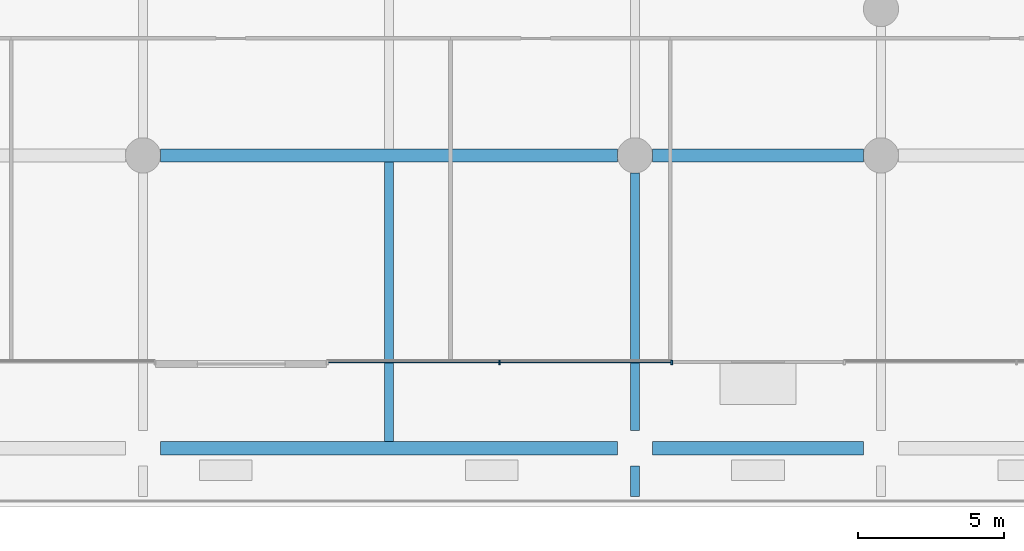
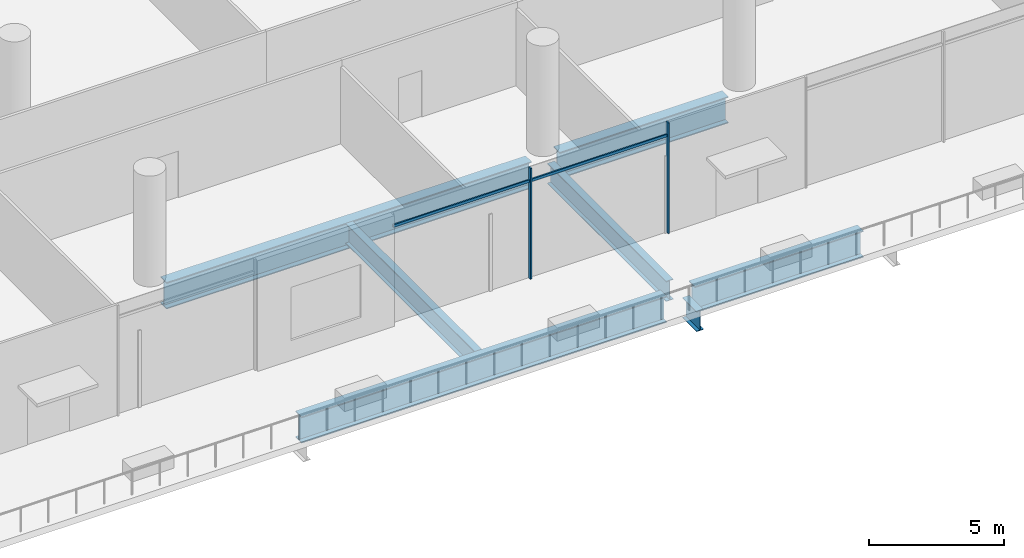
# One storey, part 7 of 51: 7 beams, 4 members, 1 element without a shape of its own.
"""IFC4 building model written with IfcOpenShell, lengths in metres."""

from ifc_helpers import new_model, si_unit, direction, frame, origin, origin_2d, place, context, subcontext, project, spatial, rectangle, i_section, extrude, material, material_profile, profile_set, type_object, element, aggregate, save


model = new_model("IFC4")

# Units and contexts
model_context = context("Model", 3, precision=1e-05, world=origin(), true_north=direction((0.0, 1.0)))
body_context = subcontext(model_context, "Body", "Model", "MODEL_VIEW")
ifc_project = project(units=[si_unit("LENGTHUNIT", "METRE"), si_unit("AREAUNIT", "SQUARE_METRE"), si_unit("VOLUMEUNIT", "CUBIC_METRE"), si_unit("PLANEANGLEUNIT", "RADIAN"), si_unit("MASSUNIT", "GRAM", prefix="KILO")], contexts=[model_context])

# Site, building, storey
site_placement = place(None, origin())
site = spatial("IfcSite", under=ifc_project, at=site_placement, CompositionType="ELEMENT")
building_placement = place(site_placement, origin())
building = spatial("IfcBuilding", under=site, at=building_placement, Name="Rimbun Link Towers", CompositionType="ELEMENT")
storey_placement = place(building_placement, frame((0.0, 0.0, 7.0)))
storey = spatial("IfcBuildingStorey", under=building, at=storey_placement, Name="L01", CompositionType="ELEMENT", Elevation=7.0)

# Curtain wall, members
ifc_material_1 = material(Name="Aluminium 6063-T6 and low-iron glass", Category="aluminium")
curtain_wall_type = type_object("IfcCurtainWallType", Name="CW3 podium shopfront", PredefinedType="NOTDEFINED", material=ifc_material_1)
curtain_wall_placement = place(storey_placement, origin())
curtain_wall = element("IfcCurtainWall", 1, at=curtain_wall_placement, inside=storey, type_object=curtain_wall_type, Name="CW3 L01 PD", PredefinedType="NOTDEFINED")
ifc_material_2 = material(Name="Aluminium 6063-T6", Category="aluminium")
ifc_material_profile_1 = material_profile(ifc_material_2, rectangle(XDim=0.14990234375, YDim=0.06005859375, at=origin_2d()), Name="MULLION 60X150")
ifc_profile_set_1 = profile_set([ifc_material_profile_1], Name="Aluminium 6063-T6")
member_type_1 = type_object("IfcMemberType", Name="CW3 mullion 60X150", PredefinedType="MULLION", material=ifc_profile_set_1)
member_1_placement = place(storey_placement, frame((-8.823486328125, -43.074951171875, 0.0), z_axis=(0.0, 0.0, 1.0), x_axis=(0.0, -1.0, 0.0)))
member_1 = element("IfcMember", 2, at=member_1_placement, type_object=member_type_1, Name="CW3 mullion", PredefinedType="MULLION", context=body_context, shape_type="SweptSolid", body=[
    extrude(rectangle(XDim=0.14990234375, YDim=0.06005859375, at=origin_2d()), origin(), (0.0, 0.0, 1.0), 5.0),
])
member_2_placement = place(storey_placement, frame((-2.941162109375, -43.074951171875, 0.0), z_axis=(0.0, 0.0, 1.0), x_axis=(0.0, -1.0, 0.0)))
member_2 = element("IfcMember", 3, at=member_2_placement, type_object=member_type_1, Name="CW3 mullion", PredefinedType="MULLION", context=body_context, shape_type="SweptSolid", body=[
    extrude(rectangle(XDim=0.14990234375, YDim=0.06005859375, at=origin_2d()), origin(), (0.0, 0.0, 1.0), 5.0),
])
ifc_material_3 = material(Name="Aluminium 6063-T6", Category="aluminium")
ifc_material_profile_2 = material_profile(ifc_material_3, rectangle(XDim=0.06005859375, YDim=0.1201171875, at=origin_2d()), Name="TRANSOM 60X120")
ifc_profile_set_2 = profile_set([ifc_material_profile_2], Name="Aluminium 6063-T6")
member_type_2 = type_object("IfcMemberType", Name="CW3 transom 60X120", PredefinedType="USERDEFINED", material=ifc_profile_set_2)
member_3_placement = place(storey_placement, frame((-8.853515625, -43.053955078125, 4.39990234375), z_axis=(-1.0, 0.0, 0.0), x_axis=(0.0, -1.0, 0.0)))
member_3 = element("IfcMember", 4, at=member_3_placement, type_object=member_type_2, Name="CW3 transom", ObjectType="TRANSOM", PredefinedType="USERDEFINED", context=body_context, shape_type="SweptSolid", body=[
    extrude(rectangle(XDim=0.06005859375, YDim=0.1201171875, at=origin_2d()), origin(), (0.0, 0.0, 1.0), 5.822265625),
])
member_4_placement = place(storey_placement, frame((-2.97119140625, -43.053955078125, 4.39990234375), z_axis=(-1.0, 0.0, 0.0), x_axis=(0.0, -1.0, 0.0)))
member_4 = element("IfcMember", 5, at=member_4_placement, type_object=member_type_2, Name="CW3 transom", ObjectType="TRANSOM", PredefinedType="USERDEFINED", context=body_context, shape_type="SweptSolid", body=[
    extrude(rectangle(XDim=0.06005859375, YDim=0.1201171875, at=origin_2d()), origin(), (0.0, 0.0, 1.0), 5.822265625),
])
aggregate(curtain_wall, [member_1, member_2, member_3, member_4])

# Beams
ifc_material_4 = material(Name="Steel S355J2", Category="steel")
ifc_material_profile_3 = material_profile(ifc_material_4, i_section(OverallWidth=0.449951171875, OverallDepth=1.199951171875, WebThickness=0.030029296875, FlangeThickness=0.044921875, at=origin_2d()), Name="PG 1200x450x30/45")
ifc_profile_set_3 = profile_set([ifc_material_profile_3], Name="Steel S355J2")
beam_type_1 = type_object("IfcBeamType", Name="PG 1200x450x30/45", PredefinedType="BEAM", material=ifc_profile_set_3)
beam_1_placement = place(storey_placement, frame((-20.39990234375, -46.0, -0.89990234375), z_axis=(1.0, 0.0, 0.0), x_axis=(0.0, 1.0, 0.0)))
element("IfcBeam", 6, at=beam_1_placement, inside=storey, type_object=beam_type_1, Name="Grid beam L01 -46.0", PredefinedType="BEAM", context=body_context, shape_type="SweptSolid", body=[
    extrude(i_section(OverallWidth=0.449951171875, OverallDepth=1.199951171875, WebThickness=0.030029296875, FlangeThickness=0.044921875, at=origin_2d()), origin(), (0.0, 0.0, 1.0), 15.599853515625),
])
beam_2_placement = place(storey_placement, frame((-3.60009765625, -46.0, -0.89990234375), z_axis=(1.0, 0.0, 0.0), x_axis=(0.0, 1.0, 0.0)))
element("IfcBeam", 7, at=beam_2_placement, inside=storey, type_object=beam_type_1, Name="Grid beam L01 -46.0", PredefinedType="BEAM", context=body_context, shape_type="SweptSolid", body=[
    extrude(i_section(OverallWidth=0.449951171875, OverallDepth=1.199951171875, WebThickness=0.030029296875, FlangeThickness=0.044921875, at=origin_2d()), origin(), (0.0, 0.0, 1.0), 7.2001953125),
])
beam_3_placement = place(storey_placement, frame((-20.39990234375, -36.0, -0.89990234375), z_axis=(1.0, 0.0, 0.0), x_axis=(0.0, 1.0, 0.0)))
element("IfcBeam", 8, at=beam_3_placement, inside=storey, type_object=beam_type_1, Name="Grid beam L01 -36.0", PredefinedType="BEAM", context=body_context, shape_type="SweptSolid", body=[
    extrude(i_section(OverallWidth=0.449951171875, OverallDepth=1.199951171875, WebThickness=0.030029296875, FlangeThickness=0.044921875, at=origin_2d()), origin(), (0.0, 0.0, 1.0), 15.599853515625),
])
beam_4_placement = place(storey_placement, frame((-3.60009765625, -36.0, -0.89990234375), z_axis=(1.0, 0.0, 0.0), x_axis=(0.0, 1.0, 0.0)))
element("IfcBeam", 9, at=beam_4_placement, inside=storey, type_object=beam_type_1, Name="Grid beam L01 -36.0", PredefinedType="BEAM", context=body_context, shape_type="SweptSolid", body=[
    extrude(i_section(OverallWidth=0.449951171875, OverallDepth=1.199951171875, WebThickness=0.030029296875, FlangeThickness=0.044921875, at=origin_2d()), origin(), (0.0, 0.0, 1.0), 7.2001953125),
])
ifc_material_5 = material(Name="Steel S355J2", Category="steel")
ifc_material_profile_4 = material_profile(ifc_material_5, i_section(OverallWidth=0.305419921875, OverallDepth=0.91845703125, WebThickness=0.017333984375, FlangeThickness=0.02783203125, at=origin_2d()), Name="UB 914x305x253")
ifc_profile_set_4 = profile_set([ifc_material_profile_4], Name="Steel S355J2")
beam_type_2 = type_object("IfcBeamType", Name="UB 914x305x253", PredefinedType="BEAM", material=ifc_profile_set_4)
beam_5_placement = place(storey_placement, frame((-12.60009765625, -45.77490234375, -0.75927734375), z_axis=(0.0, 1.0, 0.0), x_axis=(-1.0, 0.0, 0.0)))
element("IfcBeam", 10, at=beam_5_placement, inside=storey, type_object=beam_type_2, Name="Grid beam L01 -12.6", PredefinedType="BEAM", context=body_context, shape_type="SweptSolid", body=[
    extrude(i_section(OverallWidth=0.305419921875, OverallDepth=0.91845703125, WebThickness=0.017333984375, FlangeThickness=0.02783203125, at=origin_2d()), origin(), (0.0, 0.0, 1.0), 9.5498046875),
])
beam_6_placement = place(storey_placement, frame((-4.199951171875, -47.649169921875, -0.75927734375), z_axis=(0.0, 1.0, 0.0), x_axis=(-1.0, 0.0, 0.0)))
element("IfcBeam", 11, at=beam_6_placement, inside=storey, type_object=beam_type_2, Name="Grid beam L01 -4.2", PredefinedType="BEAM", context=body_context, shape_type="SweptSolid", body=[
    extrude(i_section(OverallWidth=0.305419921875, OverallDepth=0.91845703125, WebThickness=0.017333984375, FlangeThickness=0.02783203125, at=origin_2d()), origin(), (0.0, 0.0, 1.0), 1.049072265625),
])
beam_7_placement = place(storey_placement, frame((-4.199951171875, -45.39990234375, -0.75927734375), z_axis=(0.0, 1.0, 0.0), x_axis=(-1.0, 0.0, 0.0)))
element("IfcBeam", 12, at=beam_7_placement, inside=storey, type_object=beam_type_2, Name="Grid beam L01 -4.2", PredefinedType="BEAM", context=body_context, shape_type="SweptSolid", body=[
    extrude(i_section(OverallWidth=0.305419921875, OverallDepth=0.91845703125, WebThickness=0.017333984375, FlangeThickness=0.02783203125, at=origin_2d()), origin(), (0.0, 0.0, 1.0), 8.7998046875),
])

save(model, "model.ifc")
